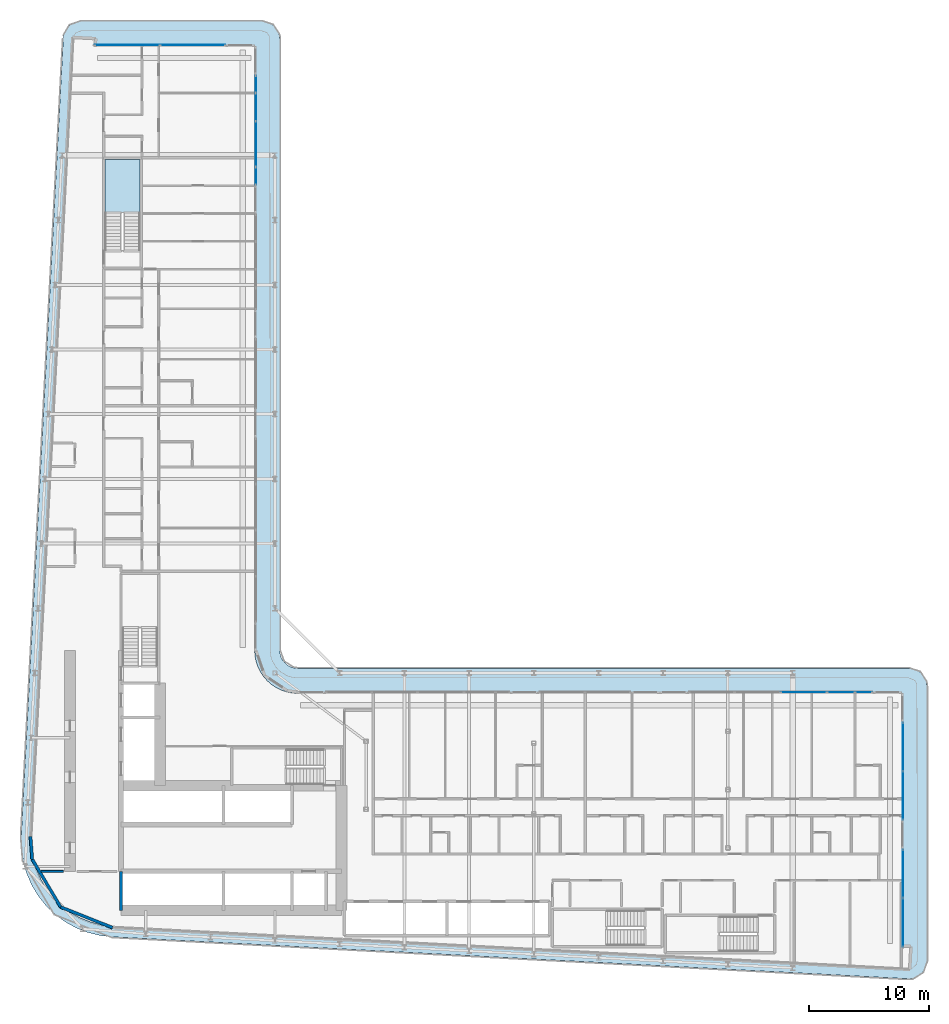
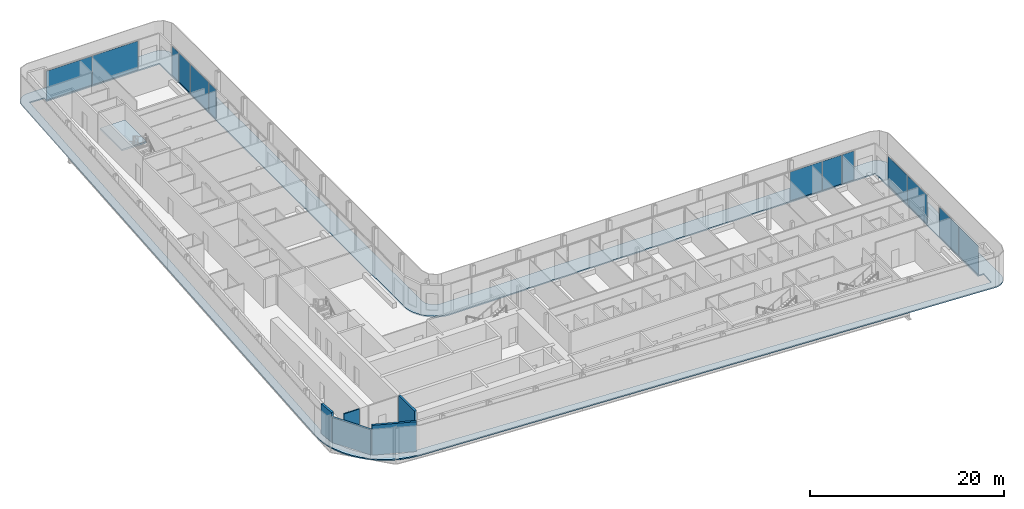
# One storey, part 12 of 28: 13 plates, 5 walls, 2 slabs, 7 elements without a shape of their own.
"""IFC4 building model written with IfcOpenShell, lengths in metres."""

from ifc_helpers import new_model, si_unit, direction, frame, frame_2d, origin, origin_2d, place, context, subcontext, project, spatial, polyline, rectangle, outline, extrude, material, layer, layer_set, type_object, element, aggregate, save


model = new_model("IFC4")

# Units and contexts
model_context = context("Model", 3, precision=1e-05, world=origin(), true_north=direction((0.0, 1.0)))
body_context = subcontext(model_context, "Body", "Model", "MODEL_VIEW")
ifc_project = project(units=[si_unit("LENGTHUNIT", "METRE"), si_unit("AREAUNIT", "SQUARE_METRE"), si_unit("VOLUMEUNIT", "CUBIC_METRE"), si_unit("PLANEANGLEUNIT", "RADIAN"), si_unit("MASSUNIT", "GRAM", prefix="KILO")], contexts=[model_context])

# Site, building, storey
site_placement = place(None, origin())
site = spatial("IfcSite", under=ifc_project, at=site_placement, CompositionType="ELEMENT")
building_placement = place(site_placement, origin())
building = spatial("IfcBuilding", under=site, at=building_placement, Name="Kheshtan School and Residences Tower", CompositionType="ELEMENT")
storey_placement = place(building_placement, frame((0.0, 0.0, 137.0)))
storey = spatial("IfcBuildingStorey", under=building, at=storey_placement, Name="L32", CompositionType="ELEMENT", Elevation=137.0)

# Curtain wall, plates
ifc_material_1 = material(Name="Clear low-e glass in thermally broken aluminium frame", Category="aluminium")
ifc_layer_1 = layer(ifc_material_1, 0.199951171875)
ifc_layer_set_1 = layer_set([ifc_layer_1], Name="Curtain wall CW-L")
curtain_wall_type = type_object("IfcCurtainWallType", Name="Curtain wall CW-L", PredefinedType="NOTDEFINED", material=ifc_layer_set_1)
curtain_wall_1_placement = place(storey_placement, origin())
curtain_wall_1 = element("IfcCurtainWall", 1, at=curtain_wall_1_placement, inside=storey, type_object=curtain_wall_type, Name="Curtain wall CWL7", PredefinedType="NOTDEFINED")
ifc_layer_2 = layer(ifc_material_1, 0.031982421875)
ifc_layer_set_2 = layer_set([ifc_layer_2], Name="CW-L glass panel")
plate_type = type_object("IfcPlateType", Name="CW-L glass panel", PredefinedType="CURTAIN_PANEL", material=ifc_layer_set_2)
plate_1_placement = place(storey_placement, frame((35.259033203125, 98.0, 0.0), z_axis=(0.0, 0.0, 1.0), x_axis=(1.0, 0.0, 0.0)))
plate_1 = element("IfcPlate", 2, at=plate_1_placement, type_object=plate_type, Name="CWL7 panel 1.1", PredefinedType="CURTAIN_PANEL", context=body_context, shape_type="SweptSolid", body=[
    extrude(rectangle(XDim=5.4140625, YDim=0.031982421875, at=origin_2d()), origin(), (0.0, 0.0, 1.0), 3.6298828125),
])
plate_2_placement = place(storey_placement, frame((40.73291015625, 98.0, 0.0), z_axis=(0.0, 0.0, 1.0), x_axis=(1.0, 0.0, 0.0)))
plate_2 = element("IfcPlate", 3, at=plate_2_placement, type_object=plate_type, Name="CWL7 panel 2.1", PredefinedType="CURTAIN_PANEL", context=body_context, shape_type="SweptSolid", body=[
    extrude(rectangle(XDim=5.4140625, YDim=0.031982421875, at=origin_2d()), origin(), (0.0, 0.0, 1.0), 3.6298828125),
])
aggregate(curtain_wall_1, [plate_1, plate_2])

curtain_wall_2_placement = place(storey_placement, origin())
curtain_wall_2 = element("IfcCurtainWall", 4, at=curtain_wall_2_placement, inside=storey, type_object=curtain_wall_type, Name="Curtain wall CWL8c", PredefinedType="NOTDEFINED")
plate_3_placement = place(storey_placement, frame((46.0, 94.735107421875, 0.0), z_axis=(0.0, 0.0, 1.0), x_axis=(0.0, -1.0, 0.0)))
plate_3 = element("IfcPlate", 5, at=plate_3_placement, type_object=plate_type, Name="CWL8c panel 1.1", PredefinedType="CURTAIN_PANEL", context=body_context, shape_type="SweptSolid", body=[
    extrude(rectangle(XDim=1.409912109375, YDim=0.031982421875, at=origin_2d()), origin(), (0.0, 0.0, 1.0), 3.6298828125),
])
plate_4_placement = place(storey_placement, frame((46.0, 92.826416015625, 0.0), z_axis=(0.0, 0.0, 1.0), x_axis=(0.0, -1.0, 0.0)))
plate_4 = element("IfcPlate", 6, at=plate_4_placement, type_object=plate_type, Name="CWL8c panel 2.1", PredefinedType="CURTAIN_PANEL", context=body_context, shape_type="SweptSolid", body=[
    extrude(rectangle(XDim=2.287109375, YDim=0.031982421875, at=origin_2d()), origin(), (0.0, 0.0, 1.0), 3.6298828125),
])
plate_5_placement = place(storey_placement, frame((46.0, 89.744384765625, 0.0), z_axis=(0.0, 0.0, 1.0), x_axis=(0.0, -1.0, 0.0)))
plate_5 = element("IfcPlate", 7, at=plate_5_placement, type_object=plate_type, Name="CWL8c panel 3.1", PredefinedType="CURTAIN_PANEL", context=body_context, shape_type="SweptSolid", body=[
    extrude(rectangle(XDim=3.757080078125, YDim=0.031982421875, at=origin_2d()), origin(), (0.0, 0.0, 1.0), 3.6298828125),
])
aggregate(curtain_wall_2, [plate_3, plate_4, plate_5])

# Curtain wall, plate
curtain_wall_3_placement = place(storey_placement, origin())
curtain_wall_3 = element("IfcCurtainWall", 8, at=curtain_wall_3_placement, inside=storey, type_object=curtain_wall_type, Name="Curtain wall CWL8a", PredefinedType="NOTDEFINED")
plate_6_placement = place(storey_placement, frame((46.0, 87.0859375, 0.0), z_axis=(0.0, 0.0, 1.0), x_axis=(0.0, -1.0, 0.0)))
plate_6 = element("IfcPlate", 9, at=plate_6_placement, type_object=plate_type, Name="CWL8a panel 1.1", PredefinedType="CURTAIN_PANEL", context=body_context, shape_type="SweptSolid", body=[
    extrude(rectangle(XDim=1.43994140625, YDim=0.031982421875, at=origin_2d()), origin(), (0.0, 0.0, 1.0), 3.6298828125),
])
aggregate(curtain_wall_3, [plate_6])

# Curtain wall, plates
curtain_wall_4_placement = place(storey_placement, origin())
curtain_wall_4 = element("IfcCurtainWall", 10, at=curtain_wall_4_placement, inside=storey, type_object=curtain_wall_type, Name="Curtain wall CWL12k", PredefinedType="NOTDEFINED")
plate_7_placement = place(storey_placement, frame((91.714599609375, 44.0, 0.0), z_axis=(0.0, 0.0, 1.0), x_axis=(1.0, 0.0, 0.0)))
plate_7 = element("IfcPlate", 11, at=plate_7_placement, type_object=plate_type, Name="CWL12k panel 1.1", PredefinedType="CURTAIN_PANEL", context=body_context, shape_type="SweptSolid", body=[
    extrude(rectangle(XDim=3.81689453125, YDim=0.031982421875, at=origin_2d()), origin(), (0.0, 0.0, 1.0), 3.6298828125),
])
plate_8_placement = place(storey_placement, frame((94.826416015625, 44.0, 0.0), z_axis=(0.0, 0.0, 1.0), x_axis=(1.0, 0.0, 0.0)))
plate_8 = element("IfcPlate", 12, at=plate_8_placement, type_object=plate_type, Name="CWL12k panel 2.1", PredefinedType="CURTAIN_PANEL", context=body_context, shape_type="SweptSolid", body=[
    extrude(rectangle(XDim=2.287109375, YDim=0.031982421875, at=origin_2d()), origin(), (0.0, 0.0, 1.0), 3.6298828125),
])
plate_9_placement = place(storey_placement, frame((96.735107421875, 44.0, 0.0), z_axis=(0.0, 0.0, 1.0), x_axis=(1.0, 0.0, 0.0)))
plate_9 = element("IfcPlate", 13, at=plate_9_placement, type_object=plate_type, Name="CWL12k panel 3.1", PredefinedType="CURTAIN_PANEL", context=body_context, shape_type="SweptSolid", body=[
    extrude(rectangle(XDim=1.409912109375, YDim=0.031982421875, at=origin_2d()), origin(), (0.0, 0.0, 1.0), 3.6298828125),
])
aggregate(curtain_wall_4, [plate_7, plate_8, plate_9])

curtain_wall_5_placement = place(storey_placement, origin())
curtain_wall_5 = element("IfcCurtainWall", 14, at=curtain_wall_5_placement, inside=storey, type_object=curtain_wall_type, Name="Curtain wall CWL13b", PredefinedType="NOTDEFINED")
plate_10_placement = place(storey_placement, frame((100.0, 39.436767578125, 0.0), z_axis=(0.0, 0.0, 1.0), x_axis=(0.0, -1.0, 0.0)))
plate_10 = element("IfcPlate", 15, at=plate_10_placement, type_object=plate_type, Name="CWL13b panel 1.1", PredefinedType="CURTAIN_PANEL", context=body_context, shape_type="SweptSolid", body=[
    extrude(rectangle(XDim=4.006591796875, YDim=0.031982421875, at=origin_2d()), origin(), (0.0, 0.0, 1.0), 3.6298828125),
])
plate_11_placement = place(storey_placement, frame((100.0, 35.370361328125, 0.0), z_axis=(0.0, 0.0, 1.0), x_axis=(0.0, -1.0, 0.0)))
plate_11 = element("IfcPlate", 16, at=plate_11_placement, type_object=plate_type, Name="CWL13b panel 2.1", PredefinedType="CURTAIN_PANEL", context=body_context, shape_type="SweptSolid", body=[
    extrude(rectangle(XDim=4.006591796875, YDim=0.031982421875, at=origin_2d()), origin(), (0.0, 0.0, 1.0), 3.6298828125),
])
aggregate(curtain_wall_5, [plate_10, plate_11])

curtain_wall_6_placement = place(storey_placement, origin())
curtain_wall_6 = element("IfcCurtainWall", 17, at=curtain_wall_6_placement, inside=storey, type_object=curtain_wall_type, Name="Curtain wall CWL13b", PredefinedType="NOTDEFINED")
plate_12_placement = place(storey_placement, frame((100.0, 28.84375, 0.0), z_axis=(0.0, 0.0, 1.0), x_axis=(0.0, -1.0, 0.0)))
plate_12 = element("IfcPlate", 18, at=plate_12_placement, type_object=plate_type, Name="CWL13b panel 1.1", PredefinedType="CURTAIN_PANEL", context=body_context, shape_type="SweptSolid", body=[
    extrude(rectangle(XDim=4.006591796875, YDim=0.031982421875, at=origin_2d()), origin(), (0.0, 0.0, 1.0), 3.6298828125),
])
plate_13_placement = place(storey_placement, frame((100.0, 24.77734375, 0.0), z_axis=(0.0, 0.0, 1.0), x_axis=(0.0, -1.0, 0.0)))
plate_13 = element("IfcPlate", 19, at=plate_13_placement, type_object=plate_type, Name="CWL13b panel 2.1", PredefinedType="CURTAIN_PANEL", context=body_context, shape_type="SweptSolid", body=[
    extrude(rectangle(XDim=4.006591796875, YDim=0.031982421875, at=origin_2d()), origin(), (0.0, 0.0, 1.0), 3.6298828125),
])
aggregate(curtain_wall_6, [plate_12, plate_13])

# Slab
ifc_material_2 = material(Name="Concrete C40/50", Category="concrete")
ifc_layer_3 = layer(ifc_material_2, 0.14990234375)
ifc_layer_set_3 = layer_set([ifc_layer_3], Name="Loggia balcony slab 150 Concrete C40/50")
slab_type_1 = type_object("IfcSlabType", Name="Loggia balcony slab 150 Concrete C40/50", PredefinedType="FLOOR", material=ifc_layer_set_3)
slab_1_placement = place(storey_placement, frame((0.0, 0.0, -0.14990234375)))
element("IfcSlab", 20, at=slab_1_placement, inside=storey, type_object=slab_type_1, Name="Loggia balcony slab L32", PredefinedType="FLOOR", context=body_context, shape_type="SweptSolid", body=[
    extrude(outline(polyline([(28.4580078125, 26.222900390625), (28.45703125, 26.222900390625), (28.45703125, 26.22412109375), (28.4560546875, 26.22412109375), (27.81494140625, 27.0390625), (27.281005859375, 27.93798828125), (26.867919921875, 28.89990234375), (26.583984375, 29.89990234375), (26.583984375, 29.906982421875), (26.43408203125, 30.943115234375), (26.419921875, 31.989013671875), (29.925048828125, 98.5791015625), (29.930908203125, 98.626953125), (29.930908203125, 98.6279296875), (29.929931640625, 98.6279296875), (29.929931640625, 98.62890625), (29.928955078125, 98.62890625), (29.928955078125, 98.6298828125), (29.927978515625, 98.6298828125), (29.927978515625, 98.631103515625), (29.927001953125, 98.631103515625), (29.927001953125, 98.632080078125), (29.927001953125, 98.633056640625), (29.945068359375, 98.781005859375), (29.945068359375, 98.783935546875), (29.945068359375, 98.784912109375), (29.946044921875, 98.784912109375), (29.946044921875, 98.785888671875), (29.947021484375, 98.785888671875), (29.947021484375, 98.787109375), (29.947998046875, 98.787109375), (29.948974609375, 98.787109375), (29.948974609375, 98.7880859375), (29.949951171875, 98.7880859375), (29.949951171875, 98.7890625), (29.949951171875, 98.791015625), (30.0029296875, 98.98388671875), (30.083984375, 99.175048828125), (30.18896484375, 99.35302734375), (30.31103515625, 99.507080078125), (30.31201171875, 99.507080078125), (30.31201171875, 99.508056640625), (30.31298828125, 99.508056640625), (30.31298828125, 99.509033203125), (30.31396484375, 99.509033203125), (30.31396484375, 99.510009765625), (30.31494140625, 99.510009765625), (30.31494140625, 99.510986328125), (30.31591796875, 99.510986328125), (30.31591796875, 99.511962890625), (30.31689453125, 99.511962890625), (30.31689453125, 99.512939453125), (30.318115234375, 99.512939453125), (30.320068359375, 99.512939453125), (30.321044921875, 99.512939453125), (30.321044921875, 99.513916015625), (30.468017578125, 99.656982421875), (30.468994140625, 99.656982421875), (30.468994140625, 99.657958984375), (30.469970703125, 99.657958984375), (30.469970703125, 99.658935546875), (30.470947265625, 99.658935546875), (30.470947265625, 99.659912109375), (30.471923828125, 99.659912109375), (30.471923828125, 99.660888671875), (30.472900390625, 99.660888671875), (30.472900390625, 99.662109375), (30.47412109375, 99.662109375), (30.47412109375, 99.6630859375), (30.47509765625, 99.6630859375), (30.47509765625, 99.6640625), (30.635986328125, 99.777099609375), (30.820068359375, 99.873046875), (31.007080078125, 99.943115234375), (31.013916015625, 99.943115234375), (31.217041015625, 99.986083984375), (31.423095703125, 100.0), (46.5, 100.0), (46.696044921875, 99.987060546875), (46.887939453125, 99.948974609375), (46.89501953125, 99.948974609375), (47.073974609375, 99.885986328125), (47.243896484375, 99.801025390625), (47.2451171875, 99.801025390625), (47.2470703125, 99.801025390625), (47.248046875, 99.801025390625), (47.248046875, 99.802001953125), (47.2490234375, 99.802001953125), (47.2490234375, 99.802978515625), (47.25, 99.802978515625), (47.2529296875, 99.802978515625), (47.25390625, 99.802978515625), (47.25390625, 99.802001953125), (47.2548828125, 99.802001953125), (47.2548828125, 99.801025390625), (47.256103515625, 99.801025390625), (47.256103515625, 99.800048828125), (47.257080078125, 99.800048828125), (47.257080078125, 99.799072265625), (47.258056640625, 99.799072265625), (47.258056640625, 99.798095703125), (47.412109375, 99.696044921875), (47.4130859375, 99.696044921875), (47.4130859375, 99.695068359375), (47.4140625, 99.695068359375), (47.4140625, 99.694091796875), (47.4140625, 99.68994140625), (47.4140625, 99.68896484375), (47.4150390625, 99.68896484375), (47.4150390625, 99.68798828125), (47.416015625, 99.68798828125), (47.416015625, 99.68701171875), (47.4169921875, 99.68701171875), (47.4169921875, 99.68603515625), (47.554931640625, 99.568115234375), (47.554931640625, 99.56689453125), (47.555908203125, 99.56689453125), (47.555908203125, 99.56591796875), (47.556884765625, 99.56591796875), (47.556884765625, 99.56494140625), (47.55810546875, 99.56494140625), (47.55810546875, 99.56396484375), (47.55908203125, 99.56396484375), (47.55908203125, 99.56298828125), (47.56005859375, 99.56298828125), (47.56005859375, 99.56201171875), (47.56103515625, 99.56201171875), (47.56201171875, 99.56103515625), (47.56201171875, 99.56005859375), (47.56298828125, 99.56005859375), (47.56298828125, 99.55908203125), (47.56396484375, 99.55908203125), (47.56396484375, 99.55810546875), (47.56494140625, 99.55810546875), (47.56494140625, 99.556884765625), (47.56591796875, 99.556884765625), (47.56591796875, 99.555908203125), (47.56689453125, 99.555908203125), (47.56689453125, 99.554931640625), (47.568115234375, 99.554931640625), (47.68505859375, 99.41796875), (47.68603515625, 99.41796875), (47.68603515625, 99.4169921875), (47.68701171875, 99.4169921875), (47.68701171875, 99.416015625), (47.68798828125, 99.416015625), (47.68798828125, 99.4150390625), (47.68896484375, 99.4150390625), (47.68896484375, 99.4140625), (47.68994140625, 99.4140625), (47.694091796875, 99.4140625), (47.695068359375, 99.4140625), (47.695068359375, 99.4130859375), (47.696044921875, 99.4130859375), (47.696044921875, 99.412109375), (47.797119140625, 99.259033203125), (47.798095703125, 99.259033203125), (47.798095703125, 99.258056640625), (47.799072265625, 99.258056640625), (47.799072265625, 99.257080078125), (47.800048828125, 99.257080078125), (47.800048828125, 99.256103515625), (47.801025390625, 99.256103515625), (47.801025390625, 99.2548828125), (47.802001953125, 99.2548828125), (47.802001953125, 99.25390625), (47.802978515625, 99.25390625), (47.802978515625, 99.2529296875), (47.802978515625, 99.25), (47.802978515625, 99.2490234375), (47.802001953125, 99.2490234375), (47.802001953125, 99.248046875), (47.801025390625, 99.248046875), (47.801025390625, 99.2470703125), (47.801025390625, 99.243896484375), (47.801025390625, 99.242919921875), (47.885986328125, 99.073974609375), (47.948974609375, 98.89501953125), (47.948974609375, 98.887939453125), (47.987060546875, 98.696044921875), (48.0, 98.5), (48.0, 47.5), (48.012939453125, 47.303955078125), (48.051025390625, 47.113037109375), (48.051025390625, 47.10693359375), (48.051025390625, 47.10595703125), (48.114013671875, 46.926025390625), (48.200927734375, 46.75), (48.31005859375, 46.5869140625), (48.431884765625, 46.444091796875), (48.43310546875, 46.444091796875), (48.43310546875, 46.443115234375), (48.43408203125, 46.443115234375), (48.43408203125, 46.44189453125), (48.43505859375, 46.44189453125), (48.43505859375, 46.44091796875), (48.43603515625, 46.44091796875), (48.43603515625, 46.43994140625), (48.43701171875, 46.43994140625), (48.43701171875, 46.43896484375), (48.43798828125, 46.43896484375), (48.43896484375, 46.43798828125), (48.43896484375, 46.43701171875), (48.43994140625, 46.43701171875), (48.43994140625, 46.43603515625), (48.44091796875, 46.43603515625), (48.44091796875, 46.43505859375), (48.44189453125, 46.43505859375), (48.44189453125, 46.43408203125), (48.443115234375, 46.43408203125), (48.443115234375, 46.43310546875), (48.444091796875, 46.43310546875), (48.444091796875, 46.431884765625), (48.5869140625, 46.31005859375), (48.75, 46.200927734375), (48.926025390625, 46.114013671875), (49.10595703125, 46.051025390625), (49.10693359375, 46.051025390625), (49.113037109375, 46.051025390625), (49.303955078125, 46.012939453125), (49.5, 46.0), (100.5, 46.0), (100.696044921875, 45.987060546875), (100.887939453125, 45.948974609375), (100.89501953125, 45.948974609375), (101.073974609375, 45.885986328125), (101.241943359375, 45.801025390625), (101.242919921875, 45.801025390625), (101.2470703125, 45.801025390625), (101.248046875, 45.801025390625), (101.248046875, 45.802001953125), (101.2490234375, 45.802001953125), (101.2490234375, 45.802978515625), (101.25, 45.802978515625), (101.2529296875, 45.802978515625), (101.25390625, 45.802978515625), (101.25390625, 45.802001953125), (101.2548828125, 45.802001953125), (101.2548828125, 45.801025390625), (101.256103515625, 45.801025390625), (101.256103515625, 45.800048828125), (101.257080078125, 45.800048828125), (101.257080078125, 45.799072265625), (101.258056640625, 45.799072265625), (101.258056640625, 45.798095703125), (101.259033203125, 45.798095703125), (101.259033203125, 45.797119140625), (101.260009765625, 45.797119140625), (101.260009765625, 45.7958984375), (101.412109375, 45.696044921875), (101.4130859375, 45.696044921875), (101.4130859375, 45.695068359375), (101.4140625, 45.695068359375), (101.4140625, 45.694091796875), (101.4140625, 45.68994140625), (101.4140625, 45.68896484375), (101.4150390625, 45.68896484375), (101.4150390625, 45.68798828125), (101.416015625, 45.68798828125), (101.416015625, 45.68701171875), (101.4169921875, 45.68701171875), (101.4169921875, 45.68603515625), (101.41796875, 45.68603515625), (101.41796875, 45.68505859375), (101.4189453125, 45.68505859375), (101.4189453125, 45.68408203125), (101.554931640625, 45.568115234375), (101.554931640625, 45.56689453125), (101.555908203125, 45.56689453125), (101.555908203125, 45.56591796875), (101.556884765625, 45.56591796875), (101.556884765625, 45.56494140625), (101.55810546875, 45.56494140625), (101.55810546875, 45.56396484375), (101.55908203125, 45.56396484375), (101.55908203125, 45.56298828125), (101.56005859375, 45.56298828125), (101.56005859375, 45.56201171875), (101.56103515625, 45.56201171875), (101.56201171875, 45.56103515625), (101.56201171875, 45.56005859375), (101.56298828125, 45.56005859375), (101.56298828125, 45.55908203125), (101.56396484375, 45.55908203125), (101.56396484375, 45.55810546875), (101.56494140625, 45.55810546875), (101.56494140625, 45.556884765625), (101.56591796875, 45.556884765625), (101.56591796875, 45.555908203125), (101.56689453125, 45.555908203125), (101.56689453125, 45.554931640625), (101.568115234375, 45.554931640625), (101.681884765625, 45.4208984375), (101.68310546875, 45.4208984375), (101.68310546875, 45.419921875), (101.68408203125, 45.419921875), (101.68408203125, 45.4189453125), (101.68505859375, 45.4189453125), (101.68505859375, 45.41796875), (101.68603515625, 45.41796875), (101.68603515625, 45.4169921875), (101.68701171875, 45.4169921875), (101.68701171875, 45.416015625), (101.68798828125, 45.416015625), (101.68798828125, 45.4150390625), (101.68896484375, 45.4150390625), (101.68896484375, 45.4140625), (101.68994140625, 45.4140625), (101.694091796875, 45.4140625), (101.695068359375, 45.4140625), (101.695068359375, 45.4130859375), (101.696044921875, 45.4130859375), (101.696044921875, 45.412109375), (101.7939453125, 45.261962890625), (101.794921875, 45.261962890625), (101.794921875, 45.260986328125), (101.7958984375, 45.260986328125), (101.7958984375, 45.260009765625), (101.797119140625, 45.260009765625), (101.797119140625, 45.259033203125), (101.798095703125, 45.259033203125), (101.798095703125, 45.258056640625), (101.799072265625, 45.258056640625), (101.799072265625, 45.257080078125), (101.800048828125, 45.257080078125), (101.800048828125, 45.256103515625), (101.801025390625, 45.256103515625), (101.801025390625, 45.2548828125), (101.802001953125, 45.2548828125), (101.802001953125, 45.25390625), (101.802978515625, 45.25390625), (101.802978515625, 45.2529296875), (101.802978515625, 45.25), (101.802978515625, 45.2490234375), (101.802001953125, 45.2490234375), (101.802001953125, 45.248046875), (101.801025390625, 45.248046875), (101.801025390625, 45.2470703125), (101.801025390625, 45.240966796875), (101.801025390625, 45.239990234375), (101.885986328125, 45.073974609375), (101.948974609375, 44.89501953125), (101.948974609375, 44.887939453125), (101.987060546875, 44.696044921875), (102.0, 44.5), (102.0, 21.5810546875), (101.986083984375, 21.37890625), (101.945068359375, 21.179931640625), (101.945068359375, 21.173095703125), (101.8779296875, 20.989013671875), (101.785888671875, 20.80810546875), (101.6708984375, 20.64306640625), (101.6708984375, 20.64208984375), (101.6708984375, 20.64111328125), (101.6708984375, 20.639892578125), (101.672119140625, 20.639892578125), (101.672119140625, 20.638916015625), (101.672119140625, 20.636962890625), (101.672119140625, 20.635986328125), (101.6708984375, 20.635986328125), (101.6708984375, 20.635009765625), (101.5380859375, 20.491943359375), (101.534912109375, 20.489013671875), (101.533935546875, 20.489013671875), (101.533935546875, 20.488037109375), (101.532958984375, 20.488037109375), (101.531005859375, 20.488037109375), (101.530029296875, 20.488037109375), (101.530029296875, 20.489013671875), (101.529052734375, 20.489013671875), (101.528076171875, 20.489013671875), (101.527099609375, 20.489013671875), (101.3759765625, 20.364013671875), (101.2041015625, 20.256103515625), (101.01904296875, 20.174072265625), (100.8310546875, 20.116943359375), (100.823974609375, 20.116943359375), (100.6240234375, 20.0859375), (100.4208984375, 20.0830078125), (33.989013671875, 23.580078125), (33.94189453125, 23.5859375), (33.94091796875, 23.5859375), (33.93994140625, 23.5859375), (33.93994140625, 23.5849609375), (33.93896484375, 23.5849609375), (33.93896484375, 23.583984375), (33.93798828125, 23.583984375), (33.93798828125, 23.5830078125), (33.93701171875, 23.5830078125), (33.93701171875, 23.58203125), (33.93603515625, 23.58203125), (33.93505859375, 23.58203125), (32.952880859375, 23.697998046875), (32.949951171875, 23.697998046875), (32.948974609375, 23.697998046875), (32.948974609375, 23.698974609375), (32.947998046875, 23.698974609375), (32.947998046875, 23.699951171875), (32.947021484375, 23.699951171875), (32.947021484375, 23.700927734375), (32.947021484375, 23.702880859375), (32.947021484375, 23.7041015625), (32.946044921875, 23.7041015625), (32.946044921875, 23.705078125), (32.945068359375, 23.705078125), (32.944091796875, 23.705078125), (31.93603515625, 23.9609375), (31.928955078125, 23.9609375), (30.964111328125, 24.34912109375), (30.051025390625, 24.860107421875), (29.218994140625, 25.47900390625), (29.218994140625, 25.47998046875), (29.218017578125, 25.47998046875), (29.218017578125, 25.48095703125), (29.217041015625, 25.48095703125), (29.217041015625, 25.48193359375), (29.216064453125, 25.48193359375), (29.216064453125, 25.48291015625), (29.215087890625, 25.48291015625), (29.215087890625, 25.48388671875), (29.214111328125, 25.48388671875), (29.214111328125, 25.485107421875), (29.212890625, 25.485107421875), (29.212890625, 25.486083984375), (29.2119140625, 25.486083984375), (28.466064453125, 26.217041015625), (28.466064453125, 26.218017578125), (28.465087890625, 26.218017578125), (28.462890625, 26.218017578125), (28.4619140625, 26.218017578125), (28.4619140625, 26.218994140625), (28.4609375, 26.218994140625), (28.4609375, 26.219970703125), (28.4599609375, 26.219970703125), (28.4599609375, 26.220947265625), (28.458984375, 26.220947265625), (28.458984375, 26.221923828125), (28.4580078125, 26.221923828125), (28.4580078125, 26.222900390625)]), holes=[polyline([(29.12890625, 26.824951171875), (29.12890625, 26.823974609375), (29.1298828125, 26.823974609375), (29.1298828125, 26.822998046875), (29.131103515625, 26.822998046875), (29.131103515625, 26.822021484375), (29.132080078125, 26.822021484375), (29.132080078125, 26.821044921875), (29.133056640625, 26.821044921875), (29.133056640625, 26.820068359375), (29.134033203125, 26.820068359375), (29.7958984375, 26.173095703125), (29.7958984375, 26.172119140625), (29.797119140625, 26.172119140625), (29.798095703125, 26.172119140625), (29.799072265625, 26.172119140625), (29.799072265625, 26.1708984375), (29.800048828125, 26.1708984375), (29.800048828125, 26.169921875), (29.801025390625, 26.169921875), (29.801025390625, 26.1689453125), (29.802001953125, 26.1689453125), (29.802001953125, 26.16796875), (29.802978515625, 26.16796875), (29.802978515625, 26.1669921875), (29.803955078125, 26.1669921875), (29.803955078125, 26.166015625), (30.541015625, 25.616943359375), (31.35205078125, 25.1630859375), (32.208984375, 24.819091796875), (32.2099609375, 24.819091796875), (32.216064453125, 24.819091796875), (33.114990234375, 24.590087890625), (34.06591796875, 24.47705078125), (100.43798828125, 20.98291015625), (100.465087890625, 20.98388671875), (100.466064453125, 20.98388671875), (100.467041015625, 20.98388671875), (100.467041015625, 20.985107421875), (100.468017578125, 20.985107421875), (100.468017578125, 20.986083984375), (100.468017578125, 20.987060546875), (100.55810546875, 22.676025390625), (100.55810546875, 22.677001953125), (100.55810546875, 22.677978515625), (100.556884765625, 22.677978515625), (100.556884765625, 22.678955078125), (100.555908203125, 22.678955078125), (100.554931640625, 22.678955078125), (99.90087890625, 22.714111328125), (99.89990234375, 22.714111328125), (99.89990234375, 22.715087890625), (99.89990234375, 43.89794921875), (99.89990234375, 43.89892578125), (99.89892578125, 43.89892578125), (99.89892578125, 43.89990234375), (99.89794921875, 43.89990234375), (49.429931640625, 43.89990234375), (49.030029296875, 43.927001953125), (48.569091796875, 44.01806640625), (48.56201171875, 44.01806640625), (48.1201171875, 44.169921875), (47.697021484375, 44.37890625), (47.30810546875, 44.638916015625), (46.95703125, 44.944091796875), (46.95703125, 44.945068359375), (46.9560546875, 44.945068359375), (46.9560546875, 44.946044921875), (46.955078125, 44.946044921875), (46.955078125, 44.947021484375), (46.9541015625, 44.947021484375), (46.9541015625, 44.947998046875), (46.952880859375, 44.947998046875), (46.952880859375, 44.948974609375), (46.951904296875, 44.948974609375), (46.951904296875, 44.949951171875), (46.951904296875, 44.950927734375), (46.950927734375, 44.950927734375), (46.950927734375, 44.951904296875), (46.949951171875, 44.951904296875), (46.948974609375, 44.951904296875), (46.948974609375, 44.952880859375), (46.947998046875, 44.952880859375), (46.947998046875, 44.9541015625), (46.947021484375, 44.9541015625), (46.947021484375, 44.955078125), (46.946044921875, 44.955078125), (46.946044921875, 44.9560546875), (46.945068359375, 44.9560546875), (46.945068359375, 44.95703125), (46.944091796875, 44.95703125), (46.638916015625, 45.30810546875), (46.37890625, 45.697021484375), (46.169921875, 46.1201171875), (46.01806640625, 46.56201171875), (46.01806640625, 46.569091796875), (45.927001953125, 47.030029296875), (45.89990234375, 47.429931640625), (45.89990234375, 97.89794921875), (45.89990234375, 97.89892578125), (45.89892578125, 97.89892578125), (45.89892578125, 97.89990234375), (45.89794921875, 97.89990234375), (32.492919921875, 97.89990234375), (32.491943359375, 97.89990234375), (32.52099609375, 98.43896484375), (32.52099609375, 98.43994140625), (32.52099609375, 98.44091796875), (32.52001953125, 98.44091796875), (32.52001953125, 98.44189453125), (32.51904296875, 98.44189453125), (32.51806640625, 98.44189453125), (30.8291015625, 98.531982421875), (30.827880859375, 98.531982421875), (30.826904296875, 98.531982421875), (30.826904296875, 98.531005859375), (30.825927734375, 98.531005859375), (30.825927734375, 98.530029296875), (30.825927734375, 98.529052734375), (30.822021484375, 98.5009765625), (27.320068359375, 31.970947265625), (27.3330078125, 31.013916015625), (27.466064453125, 30.093994140625), (27.466064453125, 30.087890625), (27.466064453125, 30.0869140625), (27.718017578125, 29.200927734375), (28.0849609375, 28.345947265625), (28.55908203125, 27.550048828125), (29.126953125, 26.825927734375), (29.1279296875, 26.825927734375), (29.1279296875, 26.824951171875), (29.12890625, 26.824951171875)])]), origin(), (0.0, 0.0, 1.0), 0.14990234375),
])

# Stair, slab
stair_type = type_object("IfcStairType", Name="Exit stair, half-turn", PredefinedType="HALF_TURN_STAIR", material=ifc_material_2)
stair_placement = place(storey_placement, origin())
stair = element("IfcStair", 21, at=stair_placement, inside=storey, type_object=stair_type, Name="L32 Protected Exit Stair ST3", PredefinedType="HALF_TURN_STAIR")
ifc_layer_4 = layer(ifc_material_2, 0.199951171875)
ifc_layer_set_4 = layer_set([ifc_layer_4], Name="Stair landing 200 Concrete C40/50")
slab_type_2 = type_object("IfcSlabType", Name="Stair landing 200 Concrete C40/50", PredefinedType="LANDING", material=ifc_layer_set_4)
slab_2_placement = place(storey_placement, frame((0.0, 0.0, 1.75)))
slab_2 = element("IfcSlab", 22, at=slab_2_placement, type_object=slab_type_2, Name="ST3 landing 1", PredefinedType="LANDING", context=body_context, shape_type="SweptSolid", body=[
    extrude(outline(polyline([(36.35009765625, 83.97998046875), (36.35009765625, 88.4599609375), (33.39990234375, 88.4599609375), (33.39990234375, 83.97998046875), (36.35009765625, 83.97998046875)])), origin(), (0.0, 0.0, 1.0), 0.199951171875),
])
aggregate(stair, [slab_2])

# Walls
ifc_material_3 = material(Name="Concrete C40/50 with ceramic cladding and mineral wool insulation", Category="concrete")
ifc_layer_5 = layer(ifc_material_3, 0.25)
ifc_layer_set_5 = layer_set([ifc_layer_5], Name="External wall 250 ceramic clad")
wall_type_1 = type_object("IfcWallType", Name="External wall 250 ceramic clad", PredefinedType="SOLIDWALL", material=ifc_layer_set_5)
wall_1_placement = place(storey_placement, frame((34.0390625, 24.35302734375, 0.0), z_axis=(0.0, 0.0, 1.0), x_axis=(-0.929352825399, 0.369192803184, 0.0)))
element("IfcWall", 23, at=wall_1_placement, inside=storey, type_object=wall_type_1, Name="External wall L32 1", PredefinedType="SOLIDWALL", context=body_context, shape_type="SweptSolid", body=[
    extrude(rectangle(XDim=4.656005859375, YDim=0.25, at=frame_2d((2.328125, 0.0))), origin(), (0.0, 0.0, 1.0), 3.75),
])
wall_2_placement = place(storey_placement, frame((29.7119140625, 26.072021484375, 0.0), z_axis=(0.0, 0.0, 1.0), x_axis=(-0.511028049012, 0.859564036662, 0.0)))
element("IfcWall", 24, at=wall_2_placement, inside=storey, type_object=wall_type_1, Name="External wall L32 2", PredefinedType="SOLIDWALL", context=body_context, shape_type="SweptSolid", body=[
    extrude(rectangle(XDim=4.633544921875, YDim=0.25, at=frame_2d((2.31689453125, 0.0))), origin(), (0.0, 0.0, 1.0), 3.14697265625),
])
wall_3_placement = place(storey_placement, frame((27.343994140625, 30.054931640625, 0.0), z_axis=(0.0, 0.0, 1.0), x_axis=(-0.077571675317, 0.99698677784, 0.0)))
element("IfcWall", 25, at=wall_3_placement, inside=storey, type_object=wall_type_1, Name="External wall L32 3", PredefinedType="SOLIDWALL", context=body_context, shape_type="SweptSolid", body=[
    extrude(rectangle(XDim=1.919921875, YDim=0.25, at=frame_2d((0.9599609375, 0.0))), origin(), (0.0, 0.0, 1.0), 3.75),
])
ifc_material_4 = material(Name="Fire-board shaft wall system")
ifc_layer_6 = layer(ifc_material_4, 0.14990234375)
ifc_layer_set_6 = layer_set([ifc_layer_6], Name="Service room wall 150")
wall_type_2 = type_object("IfcWallType", Name="Service room wall 150", PredefinedType="PARTITIONING", material=ifc_layer_set_6)
wall_4_placement = place(storey_placement, frame((28.089111328125, 29.050048828125, 0.0), z_axis=(0.0, 0.0, 1.0), x_axis=(1.0, 0.0, 0.0)))
element("IfcWall", 26, at=wall_4_placement, inside=storey, type_object=wall_type_2, Name="Service room wall", PredefinedType="PARTITIONING", context=body_context, shape_type="SweptSolid", body=[
    extrude(rectangle(XDim=1.8408203125, YDim=0.14990234375, at=frame_2d((0.92041015625, 0.0))), origin(), (0.0, 0.0, 1.0), 3.89990234375),
])
ifc_layer_7 = layer(ifc_material_4, 0.25)
ifc_layer_set_7 = layer_set([ifc_layer_7], Name="Shaft lining wall 250")
wall_type_3 = type_object("IfcWallType", Name="Shaft lining wall 250", PredefinedType="PARTITIONING", material=ifc_layer_set_7)
wall_5_placement = place(storey_placement, frame((34.75, 25.800048828125, 0.0), z_axis=(0.0, 0.0, 1.0), x_axis=(0.0, 1.0, 0.0)))
element("IfcWall", 27, at=wall_5_placement, inside=storey, type_object=wall_type_3, Name="Shaft lining wall", PredefinedType="PARTITIONING", context=body_context, shape_type="SweptSolid", body=[
    extrude(rectangle(XDim=3.25, YDim=0.25, at=frame_2d((1.625, 0.0))), origin(), (0.0, 0.0, 1.0), 3.89990234375),
])

save(model, "model.ifc")
